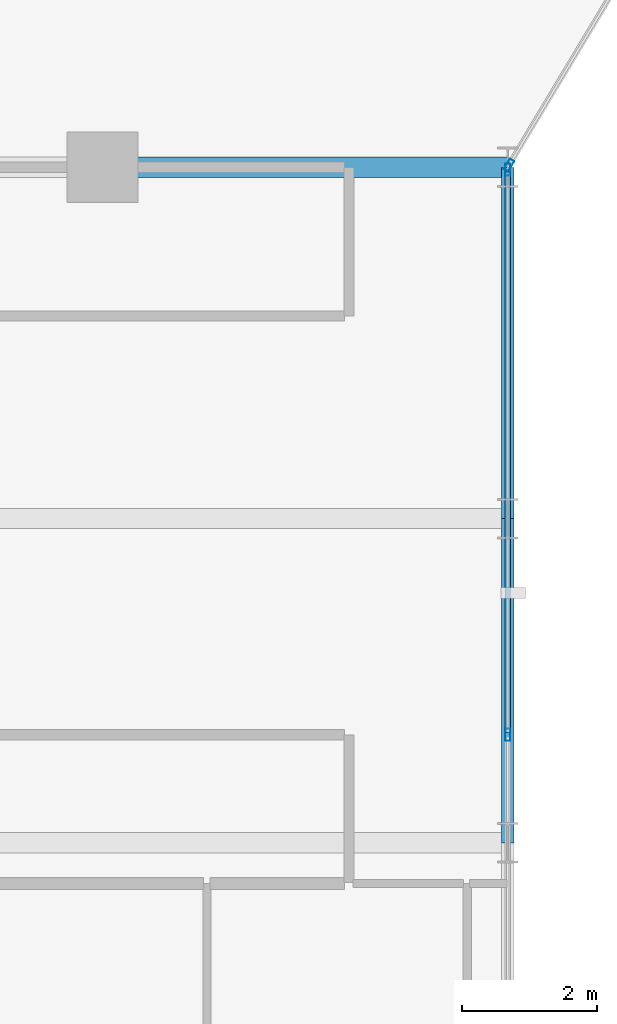
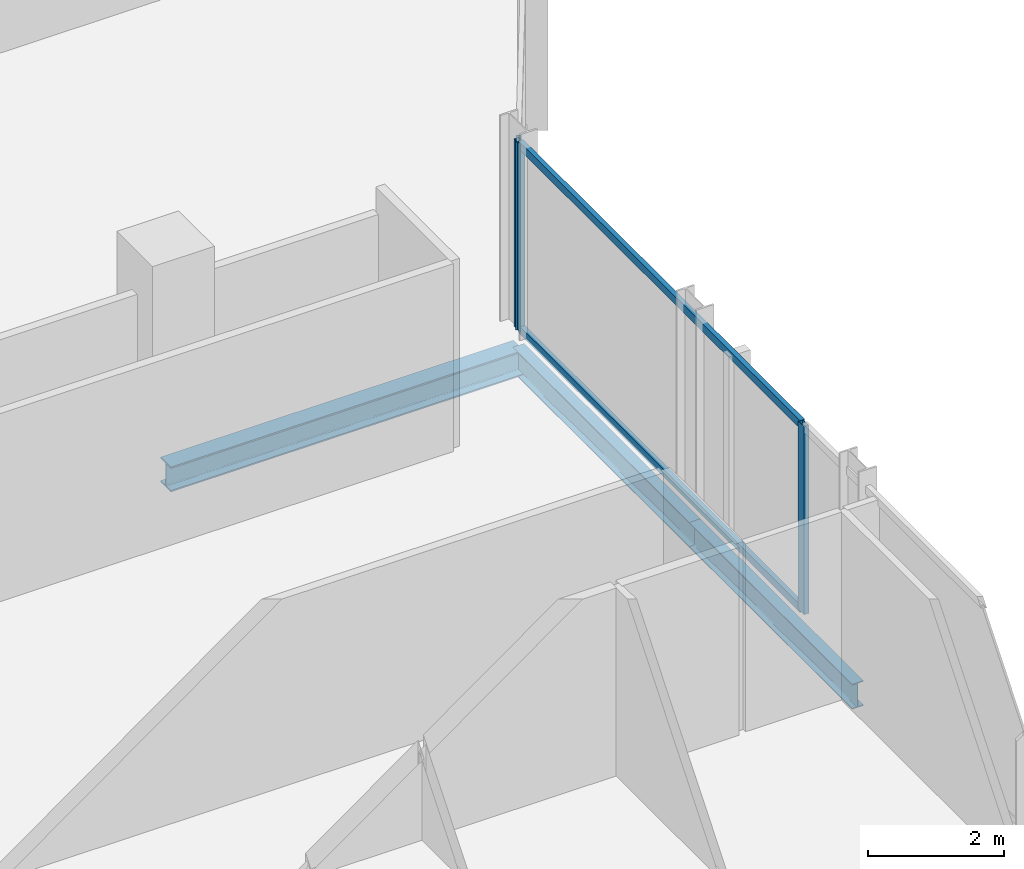
# One storey, part 12 of 30: 5 members, 3 beams, 2 elements without a shape of their own.
"""IFC4 building model written with IfcOpenShell, lengths in metres."""

from ifc_helpers import new_model, si_unit, direction, frame, origin, origin_2d, place, context, subcontext, project, spatial, hollow_rectangle, i_section, extrude, material, layer, layer_set, material_profile, profile_set, type_object, element, aggregate, save


model = new_model("IFC4")

# Units and contexts
model_context = context("Model", 3, precision=1e-05, world=origin(), true_north=direction((0.0, 1.0)))
body_context = subcontext(model_context, "Body", "Model", "MODEL_VIEW")
ifc_project = project(units=[si_unit("LENGTHUNIT", "METRE"), si_unit("AREAUNIT", "SQUARE_METRE"), si_unit("VOLUMEUNIT", "CUBIC_METRE"), si_unit("PLANEANGLEUNIT", "RADIAN"), si_unit("MASSUNIT", "GRAM", prefix="KILO")], contexts=[model_context])

# Site, building, storey
site_placement = place(None, origin())
site = spatial("IfcSite", under=ifc_project, at=site_placement, CompositionType="ELEMENT")
building_placement = place(site_placement, origin())
building = spatial("IfcBuilding", under=site, at=building_placement, Name="Keshet Zoharim Tower", CompositionType="ELEMENT")
storey_placement = place(building_placement, frame((0.0, 0.0, 116.800048828125)))
storey = spatial("IfcBuildingStorey", under=building, at=storey_placement, Name="L28", CompositionType="ELEMENT", Elevation=116.800048828125)

# Beams
ifc_material_1 = material(Name="Steel S355", Category="steel")
ifc_material_profile_1 = material_profile(ifc_material_1, i_section(OverallWidth=0.18994140625, OverallDepth=0.449951171875, WebThickness=0.009521484375, FlangeThickness=0.0146484375, FilletRadius=0.02099609375, at=origin_2d()), Name="IPE450")
ifc_profile_set_1 = profile_set([ifc_material_profile_1], Name="Steel S355")
beam_type_1 = type_object("IfcBeamType", Name="BM-PRI-IP450", PredefinedType="BEAM", material=ifc_profile_set_1)
beam_1_placement = place(storey_placement, frame((57.0, 17.89990234375, -0.5400390625), z_axis=(0.0, 1.0, 0.0), x_axis=(-1.0, 0.0, 0.0)))
element("IfcBeam", 1, at=beam_1_placement, inside=storey, type_object=beam_type_1, Name="L28 Primary Girder Y-015", PredefinedType="BEAM", context=body_context, shape_type="SweptSolid", body=[
    extrude(i_section(OverallWidth=0.18994140625, OverallDepth=0.449951171875, WebThickness=0.009521484375, FlangeThickness=0.0146484375, FilletRadius=0.02099609375, at=origin_2d()), origin(), (0.0, 0.0, 1.0), 4.800048828125),
])
beam_2_placement = place(storey_placement, frame((57.0, 22.699951171875, -0.5400390625), z_axis=(0.0, 1.0, 0.0), x_axis=(-1.0, 0.0, 0.0)))
element("IfcBeam", 2, at=beam_2_placement, inside=storey, type_object=beam_type_1, Name="L28 Primary Girder Y-016", PredefinedType="BEAM", context=body_context, shape_type="SweptSolid", body=[
    extrude(i_section(OverallWidth=0.18994140625, OverallDepth=0.449951171875, WebThickness=0.009521484375, FlangeThickness=0.0146484375, FilletRadius=0.02099609375, at=origin_2d()), origin(), (0.0, 0.0, 1.0), 5.199951171875),
])
ifc_material_profile_2 = material_profile(ifc_material_1, i_section(OverallWidth=0.300048828125, OverallDepth=0.449951171875, WebThickness=0.013916015625, FlangeThickness=0.02587890625, FilletRadius=0.027099609375, at=origin_2d()), Name="HEB450")
ifc_profile_set_2 = profile_set([ifc_material_profile_2], Name="Steel S355")
beam_type_2 = type_object("IfcBeamType", Name="BM-WEB-HB450", PredefinedType="BEAM", material=ifc_profile_set_2)
beam_3_placement = place(storey_placement, frame((51.0, 27.89990234375, -0.5400390625), z_axis=(1.0, 0.0, 0.0), x_axis=(0.0, 1.0, 0.0)))
element("IfcBeam", 3, at=beam_3_placement, inside=storey, type_object=beam_type_2, Name="L28 Primary Girder X-017", PredefinedType="BEAM", context=body_context, shape_type="SweptSolid", body=[
    extrude(i_section(OverallWidth=0.300048828125, OverallDepth=0.449951171875, WebThickness=0.013916015625, FlangeThickness=0.02587890625, FilletRadius=0.027099609375, at=origin_2d()), origin(), (0.0, 0.0, 1.0), 6.0),
])

# Curtain wall, member
ifc_material_2 = material(Name="Aluminium 6063-T6", Category="aluminium")
ifc_layer = layer(ifc_material_2, 0.159912109375)
ifc_layer_set = layer_set([ifc_layer], Name="Aluminium 6063-T6")
curtain_wall_type = type_object("IfcCurtainWallType", Name="CW-SYS-03", PredefinedType="NOTDEFINED", material=ifc_layer_set)
curtain_wall_1_placement = place(storey_placement, origin())
curtain_wall_1 = element("IfcCurtainWall", 4, at=curtain_wall_1_placement, inside=storey, type_object=curtain_wall_type, Name="L28 Unitised Curtain Wall 18", PredefinedType="NOTDEFINED")
ifc_material_profile_3 = material_profile(ifc_material_2, hollow_rectangle(XDim=0.080078125, YDim=0.179931640625, WallThickness=0.00439453125, at=origin_2d()), Name="MUL-80x180")
ifc_profile_set_3 = profile_set([ifc_material_profile_3], Name="Aluminium 6063-T6")
member_type_1 = type_object("IfcMemberType", Name="CWM-M18", PredefinedType="MULLION", material=ifc_profile_set_3)
member_1_placement = place(storey_placement, frame((57.01806640625, 27.929931640625, 0.0), z_axis=(0.0, 0.0, 1.0), x_axis=(0.857501477862, -0.514481501576, 0.0)))
member_1 = element("IfcMember", 5, at=member_1_placement, type_object=member_type_1, Name="CW-03 mullion 2", PredefinedType="MULLION", context=body_context, shape_type="SweptSolid", body=[
    extrude(hollow_rectangle(XDim=0.080078125, YDim=0.179931640625, WallThickness=0.00439453125, at=origin_2d()), origin(), (0.0, 0.0, 1.0), 3.3798828125),
])
aggregate(curtain_wall_1, [member_1])

# Curtain wall, members
curtain_wall_2_placement = place(storey_placement, origin())
curtain_wall_2 = element("IfcCurtainWall", 6, at=curtain_wall_2_placement, inside=storey, type_object=curtain_wall_type, Name="L28 Unitised Curtain Wall 19", PredefinedType="NOTDEFINED")
member_2_placement = place(storey_placement, frame((57.0, 27.864990234375, 0.0), z_axis=(0.0, 0.0, 1.0), x_axis=(1.0, 0.0, 0.0)))
member_2 = element("IfcMember", 7, at=member_2_placement, type_object=member_type_1, Name="CW-03 mullion 1", PredefinedType="MULLION", context=body_context, shape_type="SweptSolid", body=[
    extrude(hollow_rectangle(XDim=0.080078125, YDim=0.179931640625, WallThickness=0.00439453125, at=origin_2d()), origin(), (0.0, 0.0, 1.0), 3.3798828125),
])
member_3_placement = place(storey_placement, frame((57.0, 19.5, 0.0), z_axis=(0.0, 0.0, 1.0), x_axis=(1.0, 0.0, 0.0)))
member_3 = element("IfcMember", 8, at=member_3_placement, type_object=member_type_1, Name="CW-03 mullion 2", PredefinedType="MULLION", context=body_context, shape_type="SweptSolid", body=[
    extrude(hollow_rectangle(XDim=0.080078125, YDim=0.179931640625, WallThickness=0.00439453125, at=origin_2d()), origin(), (0.0, 0.0, 1.0), 3.3798828125),
])
ifc_material_profile_4 = material_profile(ifc_material_2, hollow_rectangle(XDim=0.080078125, YDim=0.139892578125, WallThickness=0.00390625, at=origin_2d()), Name="TRN-80x140")
ifc_profile_set_4 = profile_set([ifc_material_profile_4], Name="Aluminium 6063-T6")
member_type_2 = type_object("IfcMemberType", Name="CWT-T14", PredefinedType="USERDEFINED", material=ifc_profile_set_4)
member_4_placement = place(storey_placement, frame((57.0, 27.830078125, 0.034912109375), z_axis=(0.0, -1.0, 0.0), x_axis=(1.0, 0.0, 0.0)))
member_4 = element("IfcMember", 9, at=member_4_placement, type_object=member_type_2, Name="CW-03 transom 1.1", ObjectType="TRANSOM", PredefinedType="USERDEFINED", context=body_context, shape_type="SweptSolid", body=[
    extrude(hollow_rectangle(XDim=0.080078125, YDim=0.139892578125, WallThickness=0.00390625, at=origin_2d()), origin(), (0.0, 0.0, 1.0), 8.295166015625),
])
member_5_placement = place(storey_placement, frame((57.0, 27.830078125, 3.344970703125), z_axis=(0.0, -1.0, 0.0), x_axis=(1.0, 0.0, 0.0)))
member_5 = element("IfcMember", 10, at=member_5_placement, type_object=member_type_2, Name="CW-03 transom 1.2", ObjectType="TRANSOM", PredefinedType="USERDEFINED", context=body_context, shape_type="SweptSolid", body=[
    extrude(hollow_rectangle(XDim=0.080078125, YDim=0.139892578125, WallThickness=0.00390625, at=origin_2d()), origin(), (0.0, 0.0, 1.0), 8.295166015625),
])
aggregate(curtain_wall_2, [member_2, member_3, member_4, member_5])

save(model, "model.ifc")
